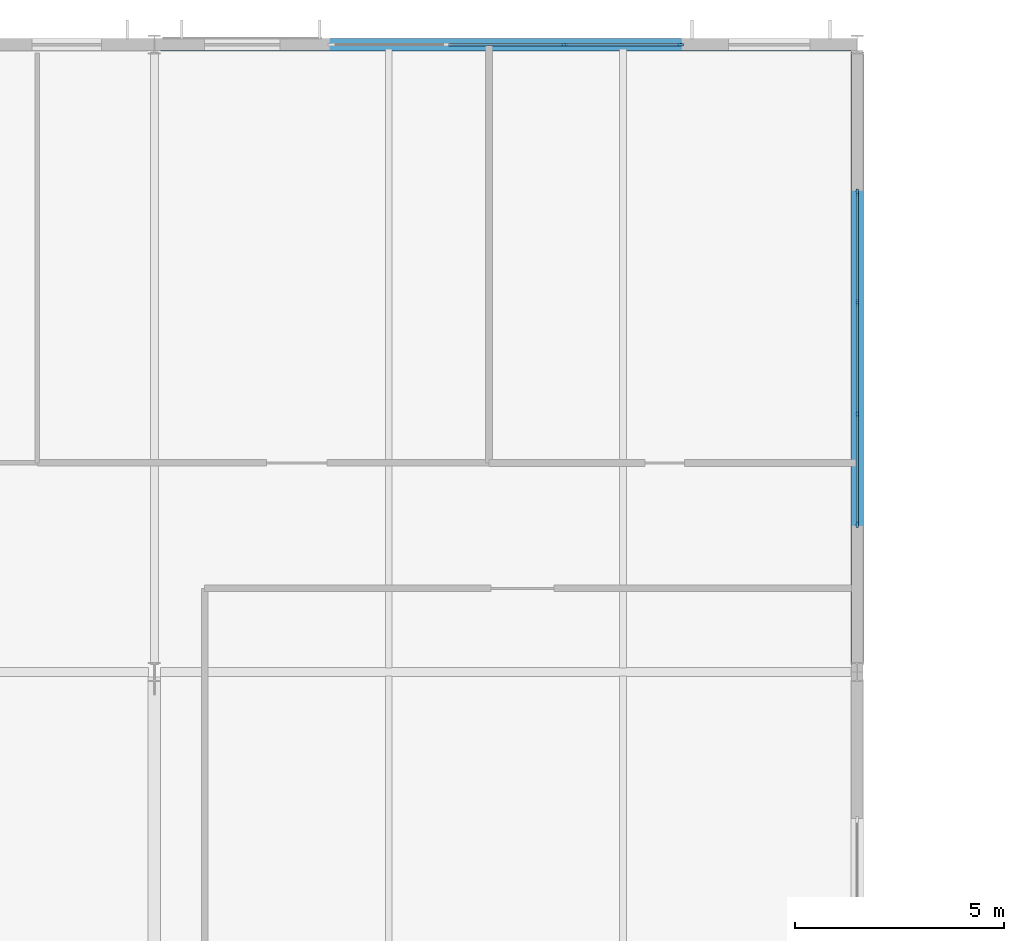
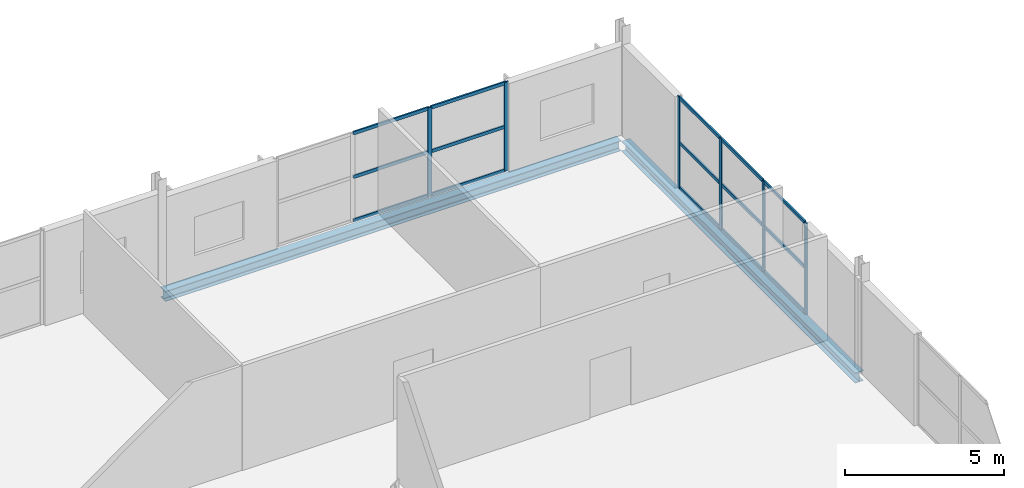
# One storey, part 23 of 39: 21 members, 2 beams, 2 elements without a shape of their own.
"""IFC4 building model written with IfcOpenShell, lengths in metres."""

from ifc_helpers import new_model, si_unit, direction, frame, origin, origin_2d, place, context, subcontext, project, spatial, rectangle, i_section, extrude, material, material_profile, profile_set, type_object, element, aggregate, save


model = new_model("IFC4")

# Units and contexts
model_context = context("Model", 3, precision=1e-05, world=origin(), true_north=direction((0.0, 1.0)))
body_context = subcontext(model_context, "Body", "Model", "MODEL_VIEW")
ifc_project = project(units=[si_unit("LENGTHUNIT", "METRE"), si_unit("AREAUNIT", "SQUARE_METRE"), si_unit("VOLUMEUNIT", "CUBIC_METRE"), si_unit("PLANEANGLEUNIT", "RADIAN"), si_unit("MASSUNIT", "GRAM", prefix="KILO")], contexts=[model_context])

# Site, building, storey
site_placement = place(None, origin())
site = spatial("IfcSite", under=ifc_project, at=site_placement, CompositionType="ELEMENT")
building_placement = place(site_placement, origin())
building = spatial("IfcBuilding", under=site, at=building_placement, Name="Kimbaza Rail Terminus", CompositionType="ELEMENT")
storey_placement = place(building_placement, frame((0.0, 0.0, 16.800048828125)))
storey = spatial("IfcBuildingStorey", under=building, at=storey_placement, Name="L03", CompositionType="ELEMENT", Elevation=16.800048828125)

# Curtain wall, members
ifc_material_1 = material(Name="Anodised aluminium framing and solar low-E glazing", Category="aluminium")
curtain_wall_type = type_object("IfcCurtainWallType", Name="ARC-CW-OP2", PredefinedType="USERDEFINED", material=ifc_material_1)
curtain_wall_1_placement = place(storey_placement, origin())
curtain_wall_1 = element("IfcCurtainWall", 1, at=curtain_wall_1_placement, inside=storey, type_object=curtain_wall_type, Name="Operations North Curtain Wall L03 Bay 6", ObjectType="STICK CURTAIN WALL", PredefinedType="USERDEFINED")
ifc_material_2 = material(Name="Anodised architectural aluminium", Category="aluminium")
ifc_material_profile_1 = material_profile(ifc_material_2, rectangle(XDim=0.05810546875, YDim=0.14990234375, at=origin_2d()), Name="MULLION 58x150")
ifc_profile_set_1 = profile_set([ifc_material_profile_1], Name="Anodised architectural aluminium")
member_type_1 = type_object("IfcMemberType", Name="ARC-CWM-06", PredefinedType="MULLION", material=ifc_profile_set_1)
member_1_placement = place(storey_placement, frame((149.0, 133.0, 0.0), z_axis=(0.0, 0.0, 1.0), x_axis=(0.0, 1.0, 0.0)))
member_1 = element("IfcMember", 2, at=member_1_placement, type_object=member_type_1, Name="CW-06 mullion 3", PredefinedType="MULLION", context=body_context, shape_type="SweptSolid", body=[
    extrude(rectangle(XDim=0.05810546875, YDim=0.14990234375, at=origin_2d()), origin(), (0.0, 0.0, 1.0), 3.39501953125),
])
member_2_placement = place(storey_placement, frame((151.77099609375, 133.0, 0.0), z_axis=(0.0, 0.0, 1.0), x_axis=(0.0, 1.0, 0.0)))
member_2 = element("IfcMember", 3, at=member_2_placement, type_object=member_type_1, Name="CW-06 mullion 4", PredefinedType="MULLION", context=body_context, shape_type="SweptSolid", body=[
    extrude(rectangle(XDim=0.05810546875, YDim=0.14990234375, at=origin_2d()), origin(), (0.0, 0.0, 1.0), 3.39501953125),
])

curtain_wall_2_placement = place(storey_placement, origin())
curtain_wall_2 = element("IfcCurtainWall", 4, at=curtain_wall_2_placement, inside=storey, type_object=curtain_wall_type, Name="Operations E Curtain Wall L03.2", ObjectType="STICK CURTAIN WALL", PredefinedType="USERDEFINED")
member_3_placement = place(storey_placement, frame((156.0, 121.529052734375, 0.0), z_axis=(0.0, 0.0, 1.0), x_axis=(-1.0, 0.0, 0.0)))
member_3 = element("IfcMember", 5, at=member_3_placement, type_object=member_type_1, Name="CW-06 mullion 1", PredefinedType="MULLION", context=body_context, shape_type="SweptSolid", body=[
    extrude(rectangle(XDim=0.05810546875, YDim=0.14990234375, at=origin_2d()), origin(), (0.0, 0.0, 1.0), 3.494873046875),
])
member_4_placement = place(storey_placement, frame((156.0, 124.166748046875, 0.0), z_axis=(0.0, 0.0, 1.0), x_axis=(-1.0, 0.0, 0.0)))
member_4 = element("IfcMember", 6, at=member_4_placement, type_object=member_type_1, Name="CW-06 mullion 2", PredefinedType="MULLION", context=body_context, shape_type="SweptSolid", body=[
    extrude(rectangle(XDim=0.05810546875, YDim=0.14990234375, at=origin_2d()), origin(), (0.0, 0.0, 1.0), 3.494873046875),
])
member_5_placement = place(storey_placement, frame((156.0, 126.833251953125, 0.0), z_axis=(0.0, 0.0, 1.0), x_axis=(-1.0, 0.0, 0.0)))
member_5 = element("IfcMember", 7, at=member_5_placement, type_object=member_type_1, Name="CW-06 mullion 3", PredefinedType="MULLION", context=body_context, shape_type="SweptSolid", body=[
    extrude(rectangle(XDim=0.05810546875, YDim=0.14990234375, at=origin_2d()), origin(), (0.0, 0.0, 1.0), 3.494873046875),
])
member_6_placement = place(storey_placement, frame((156.0, 129.470947265625, 0.0), z_axis=(0.0, 0.0, 1.0), x_axis=(-1.0, 0.0, 0.0)))
member_6 = element("IfcMember", 8, at=member_6_placement, type_object=member_type_1, Name="CW-06 mullion 4", PredefinedType="MULLION", context=body_context, shape_type="SweptSolid", body=[
    extrude(rectangle(XDim=0.05810546875, YDim=0.14990234375, at=origin_2d()), origin(), (0.0, 0.0, 1.0), 3.494873046875),
])

# Member
ifc_material_3 = material(Name="Anodised architectural aluminium", Category="aluminium")
ifc_material_profile_2 = material_profile(ifc_material_3, rectangle(XDim=0.05810546875, YDim=0.125, at=origin_2d()), Name="TRANSOM 58x125")
ifc_profile_set_2 = profile_set([ifc_material_profile_2], Name="Anodised architectural aluminium")
member_type_2 = type_object("IfcMemberType", Name="ARC-CWT-06", PredefinedType="USERDEFINED", material=ifc_profile_set_2)
member_7_placement = place(storey_placement, frame((146.22900390625, 133.0, 0.029052734375), z_axis=(1.0, 0.0, 0.0), x_axis=(0.0, 1.0, 0.0)))
member_7 = element("IfcMember", 9, at=member_7_placement, type_object=member_type_2, Name="CW-06 transom 2.1", ObjectType="TRANSOM", PredefinedType="USERDEFINED", context=body_context, shape_type="SweptSolid", body=[
    extrude(rectangle(XDim=0.05810546875, YDim=0.125, at=origin_2d()), origin(), (0.0, 0.0, 1.0), 2.741943359375),
])

member_8_placement = place(storey_placement, frame((146.22900390625, 133.0, 1.697509765625), z_axis=(1.0, 0.0, 0.0), x_axis=(0.0, 1.0, 0.0)))
member_8 = element("IfcMember", 10, at=member_8_placement, type_object=member_type_2, Name="CW-06 transom 2.2", ObjectType="TRANSOM", PredefinedType="USERDEFINED", context=body_context, shape_type="SweptSolid", body=[
    extrude(rectangle(XDim=0.05810546875, YDim=0.125, at=origin_2d()), origin(), (0.0, 0.0, 1.0), 2.741943359375),
])

member_9_placement = place(storey_placement, frame((146.22900390625, 133.0, 3.365966796875), z_axis=(1.0, 0.0, 0.0), x_axis=(0.0, 1.0, 0.0)))
member_9 = element("IfcMember", 11, at=member_9_placement, type_object=member_type_2, Name="CW-06 transom 2.3", ObjectType="TRANSOM", PredefinedType="USERDEFINED", context=body_context, shape_type="SweptSolid", body=[
    extrude(rectangle(XDim=0.05810546875, YDim=0.125, at=origin_2d()), origin(), (0.0, 0.0, 1.0), 2.741943359375),
])

member_10_placement = place(storey_placement, frame((149.029052734375, 133.0, 0.029052734375), z_axis=(1.0, 0.0, 0.0), x_axis=(0.0, 1.0, 0.0)))
member_10 = element("IfcMember", 12, at=member_10_placement, type_object=member_type_2, Name="CW-06 transom 3.1", ObjectType="TRANSOM", PredefinedType="USERDEFINED", context=body_context, shape_type="SweptSolid", body=[
    extrude(rectangle(XDim=0.05810546875, YDim=0.125, at=origin_2d()), origin(), (0.0, 0.0, 1.0), 2.712890625),
])

member_11_placement = place(storey_placement, frame((149.029052734375, 133.0, 1.697509765625), z_axis=(1.0, 0.0, 0.0), x_axis=(0.0, 1.0, 0.0)))
member_11 = element("IfcMember", 13, at=member_11_placement, type_object=member_type_2, Name="CW-06 transom 3.2", ObjectType="TRANSOM", PredefinedType="USERDEFINED", context=body_context, shape_type="SweptSolid", body=[
    extrude(rectangle(XDim=0.05810546875, YDim=0.125, at=origin_2d()), origin(), (0.0, 0.0, 1.0), 2.712890625),
])

member_12_placement = place(storey_placement, frame((149.029052734375, 133.0, 3.365966796875), z_axis=(1.0, 0.0, 0.0), x_axis=(0.0, 1.0, 0.0)))
member_12 = element("IfcMember", 14, at=member_12_placement, type_object=member_type_2, Name="CW-06 transom 3.3", ObjectType="TRANSOM", PredefinedType="USERDEFINED", context=body_context, shape_type="SweptSolid", body=[
    extrude(rectangle(XDim=0.05810546875, YDim=0.125, at=origin_2d()), origin(), (0.0, 0.0, 1.0), 2.712890625),
])

aggregate(curtain_wall_1, [member_1, member_2, member_7, member_8, member_9, member_10, member_11, member_12])

member_13_placement = place(storey_placement, frame((156.0, 121.55810546875, 0.029052734375), z_axis=(0.0, 1.0, 0.0), x_axis=(-1.0, 0.0, 0.0)))
member_13 = element("IfcMember", 15, at=member_13_placement, type_object=member_type_2, Name="CW-06 transom 1.1", ObjectType="TRANSOM", PredefinedType="USERDEFINED", context=body_context, shape_type="SweptSolid", body=[
    extrude(rectangle(XDim=0.05810546875, YDim=0.125, at=origin_2d()), origin(), (0.0, 0.0, 1.0), 2.57958984375),
])

member_14_placement = place(storey_placement, frame((156.0, 121.55810546875, 1.74755859375), z_axis=(0.0, 1.0, 0.0), x_axis=(-1.0, 0.0, 0.0)))
member_14 = element("IfcMember", 16, at=member_14_placement, type_object=member_type_2, Name="CW-06 transom 1.2", ObjectType="TRANSOM", PredefinedType="USERDEFINED", context=body_context, shape_type="SweptSolid", body=[
    extrude(rectangle(XDim=0.05810546875, YDim=0.125, at=origin_2d()), origin(), (0.0, 0.0, 1.0), 2.57958984375),
])

member_15_placement = place(storey_placement, frame((156.0, 121.55810546875, 3.466064453125), z_axis=(0.0, 1.0, 0.0), x_axis=(-1.0, 0.0, 0.0)))
member_15 = element("IfcMember", 17, at=member_15_placement, type_object=member_type_2, Name="CW-06 transom 1.3", ObjectType="TRANSOM", PredefinedType="USERDEFINED", context=body_context, shape_type="SweptSolid", body=[
    extrude(rectangle(XDim=0.05810546875, YDim=0.125, at=origin_2d()), origin(), (0.0, 0.0, 1.0), 2.57958984375),
])

member_16_placement = place(storey_placement, frame((156.0, 124.195556640625, 0.029052734375), z_axis=(0.0, 1.0, 0.0), x_axis=(-1.0, 0.0, 0.0)))
member_16 = element("IfcMember", 18, at=member_16_placement, type_object=member_type_2, Name="CW-06 transom 2.1", ObjectType="TRANSOM", PredefinedType="USERDEFINED", context=body_context, shape_type="SweptSolid", body=[
    extrude(rectangle(XDim=0.05810546875, YDim=0.125, at=origin_2d()), origin(), (0.0, 0.0, 1.0), 2.60888671875),
])

member_17_placement = place(storey_placement, frame((156.0, 124.195556640625, 1.74755859375), z_axis=(0.0, 1.0, 0.0), x_axis=(-1.0, 0.0, 0.0)))
member_17 = element("IfcMember", 19, at=member_17_placement, type_object=member_type_2, Name="CW-06 transom 2.2", ObjectType="TRANSOM", PredefinedType="USERDEFINED", context=body_context, shape_type="SweptSolid", body=[
    extrude(rectangle(XDim=0.05810546875, YDim=0.125, at=origin_2d()), origin(), (0.0, 0.0, 1.0), 2.60888671875),
])

member_18_placement = place(storey_placement, frame((156.0, 124.195556640625, 3.466064453125), z_axis=(0.0, 1.0, 0.0), x_axis=(-1.0, 0.0, 0.0)))
member_18 = element("IfcMember", 20, at=member_18_placement, type_object=member_type_2, Name="CW-06 transom 2.3", ObjectType="TRANSOM", PredefinedType="USERDEFINED", context=body_context, shape_type="SweptSolid", body=[
    extrude(rectangle(XDim=0.05810546875, YDim=0.125, at=origin_2d()), origin(), (0.0, 0.0, 1.0), 2.60888671875),
])

member_19_placement = place(storey_placement, frame((156.0, 126.8623046875, 0.029052734375), z_axis=(0.0, 1.0, 0.0), x_axis=(-1.0, 0.0, 0.0)))
member_19 = element("IfcMember", 21, at=member_19_placement, type_object=member_type_2, Name="CW-06 transom 3.1", ObjectType="TRANSOM", PredefinedType="USERDEFINED", context=body_context, shape_type="SweptSolid", body=[
    extrude(rectangle(XDim=0.05810546875, YDim=0.125, at=origin_2d()), origin(), (0.0, 0.0, 1.0), 2.57958984375),
])

member_20_placement = place(storey_placement, frame((156.0, 126.8623046875, 1.74755859375), z_axis=(0.0, 1.0, 0.0), x_axis=(-1.0, 0.0, 0.0)))
member_20 = element("IfcMember", 22, at=member_20_placement, type_object=member_type_2, Name="CW-06 transom 3.2", ObjectType="TRANSOM", PredefinedType="USERDEFINED", context=body_context, shape_type="SweptSolid", body=[
    extrude(rectangle(XDim=0.05810546875, YDim=0.125, at=origin_2d()), origin(), (0.0, 0.0, 1.0), 2.57958984375),
])

member_21_placement = place(storey_placement, frame((156.0, 126.8623046875, 3.466064453125), z_axis=(0.0, 1.0, 0.0), x_axis=(-1.0, 0.0, 0.0)))
member_21 = element("IfcMember", 23, at=member_21_placement, type_object=member_type_2, Name="CW-06 transom 3.3", ObjectType="TRANSOM", PredefinedType="USERDEFINED", context=body_context, shape_type="SweptSolid", body=[
    extrude(rectangle(XDim=0.05810546875, YDim=0.125, at=origin_2d()), origin(), (0.0, 0.0, 1.0), 2.57958984375),
])

aggregate(curtain_wall_2, [member_3, member_4, member_5, member_6, member_13, member_14, member_15, member_16, member_17, member_18, member_19, member_20, member_21])

# Beams
ifc_material_4 = material(Name="Steel S355", Category="steel")
ifc_material_profile_3 = material_profile(ifc_material_4, i_section(OverallWidth=0.300048828125, OverallDepth=0.389892578125, WebThickness=0.010986328125, FlangeThickness=0.01904296875, FilletRadius=0.027099609375, at=origin_2d()), Name="HEA 400")
ifc_profile_set_3 = profile_set([ifc_material_profile_3], Name="Steel S355")
beam_type = type_object("IfcBeamType", Name="STR-BM-HEA400", PredefinedType="SPANDREL", material=ifc_profile_set_3)
beam_1_placement = place(storey_placement, frame((139.345947265625, 133.0, -0.39501953125), z_axis=(1.0, 0.0, 0.0), x_axis=(0.0, 1.0, 0.0)))
element("IfcBeam", 24, at=beam_1_placement, inside=storey, type_object=beam_type, Name="Operations Girder L03 X5-Y2", PredefinedType="SPANDREL", context=body_context, shape_type="SweptSolid", body=[
    extrude(i_section(OverallWidth=0.300048828125, OverallDepth=0.389892578125, WebThickness=0.010986328125, FlangeThickness=0.01904296875, FilletRadius=0.027099609375, at=origin_2d()), origin(), (0.0, 0.0, 1.0), 16.508056640625),
])
beam_2_placement = place(storey_placement, frame((156.0, 118.175048828125, -0.39501953125), z_axis=(0.0, 1.0, 0.0), x_axis=(-1.0, 0.0, 0.0)))
element("IfcBeam", 25, at=beam_2_placement, inside=storey, type_object=beam_type, Name="Operations Cross Girder L03 X6-Y1", PredefinedType="SPANDREL", context=body_context, shape_type="SweptSolid", body=[
    extrude(i_section(OverallWidth=0.300048828125, OverallDepth=0.389892578125, WebThickness=0.010986328125, FlangeThickness=0.01904296875, FilletRadius=0.027099609375, at=origin_2d()), origin(), (0.0, 0.0, 1.0), 14.64990234375),
])

save(model, "model.ifc")
